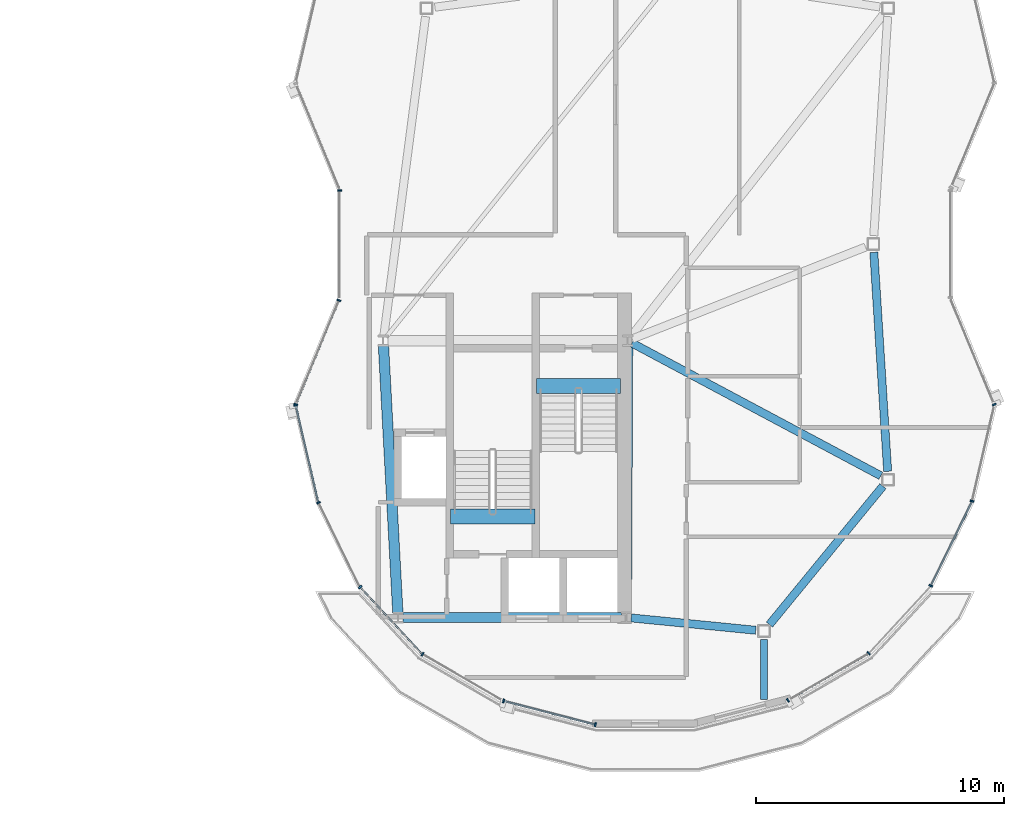
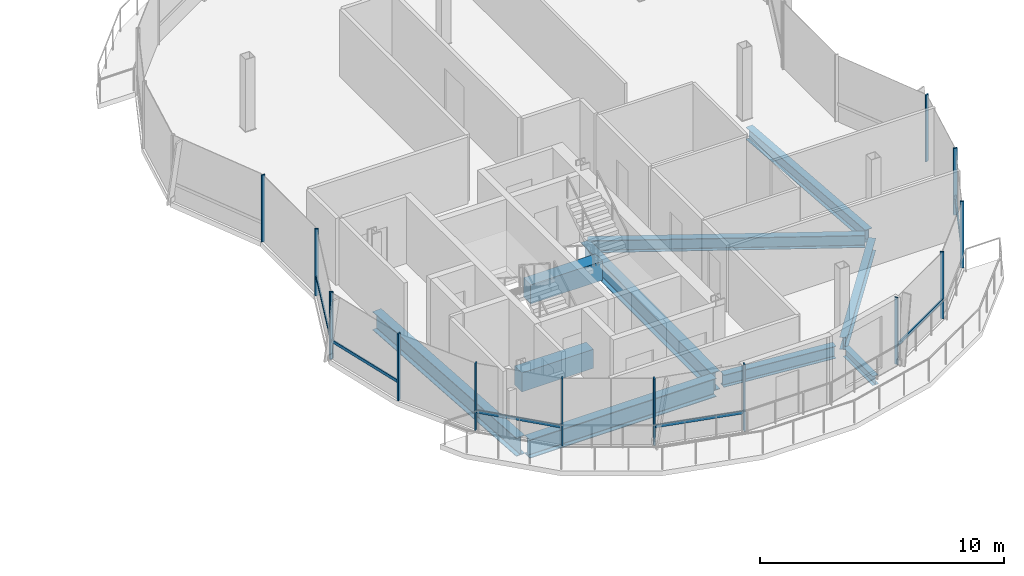
# One storey, part 7 of 20: 20 members, 10 beams, 3 elements without a shape of their own.
"""IFC4 building model written with IfcOpenShell, lengths in metres."""

from ifc_helpers import new_model, si_unit, direction, frame, origin, origin_2d, place, context, subcontext, project, spatial, rectangle, i_section, extrude, material, material_profile, profile_set, type_object, element, aggregate, save


model = new_model("IFC4")

# Units and contexts
model_context = context("Model", 3, precision=1e-05, world=origin(), true_north=direction((0.0, 1.0)))
body_context = subcontext(model_context, "Body", "Model", "MODEL_VIEW")
ifc_project = project(units=[si_unit("LENGTHUNIT", "METRE"), si_unit("AREAUNIT", "SQUARE_METRE"), si_unit("VOLUMEUNIT", "CUBIC_METRE"), si_unit("PLANEANGLEUNIT", "RADIAN"), si_unit("MASSUNIT", "GRAM", prefix="KILO"), si_unit("THERMODYNAMICTEMPERATUREUNIT", "KELVIN"), si_unit("POWERUNIT", "WATT")], contexts=[model_context])

# Site, building, storey
site_placement = place(None, origin())
site = spatial("IfcSite", under=ifc_project, at=site_placement, CompositionType="ELEMENT")
building_placement = place(site_placement, origin())
building = spatial("IfcBuilding", under=site, at=building_placement, Name="Cundina Bronze Exchange", CompositionType="ELEMENT")
storey_placement = place(building_placement, frame((0.0, 0.0, 282.800048828125)))
storey = spatial("IfcBuildingStorey", under=building, at=storey_placement, Name="L75", CompositionType="ELEMENT", Elevation=282.800048828125)

# Beams
ifc_material_1 = material(Name="Concrete C60/75", Category="concrete")
ifc_material_profile_1 = material_profile(ifc_material_1, rectangle(XDim=0.60009765625, YDim=0.949951171875, at=origin_2d()), Name="RC600X950", Category="concrete")
ifc_profile_set_1 = profile_set([ifc_material_profile_1], Name="Concrete C60/75")
beam_type_1 = type_object("IfcBeamType", Name="BM-COUP-RC950", PredefinedType="LINTEL", material=ifc_profile_set_1)
beam_1_placement = place(storey_placement, frame((27.6201171875, -5.719970703125, -0.47509765625), z_axis=(1.0, 0.0, 0.0), x_axis=(0.0, 1.0, 0.0)))
element("IfcBeam", 1, at=beam_1_placement, inside=storey, type_object=beam_type_1, Name="L75 Stair E1 Landing Header Beam", PredefinedType="LINTEL", context=body_context, shape_type="SweptSolid", body=[
    extrude(rectangle(XDim=0.60009765625, YDim=0.949951171875, at=origin_2d()), origin(), (0.0, 0.0, 1.0), 3.39990234375),
])
beam_2_placement = place(storey_placement, frame((24.159912109375, -10.97998046875, -0.47509765625), z_axis=(1.0, 0.0, 0.0), x_axis=(0.0, 1.0, 0.0)))
element("IfcBeam", 2, at=beam_2_placement, inside=storey, type_object=beam_type_1, Name="L75 Stair E2 Landing Header Beam", PredefinedType="LINTEL", context=body_context, shape_type="SweptSolid", body=[
    extrude(rectangle(XDim=0.60009765625, YDim=0.949951171875, at=origin_2d()), origin(), (0.0, 0.0, 1.0), 3.400146484375),
])
ifc_material_2 = material(Name="Steel ASTM A992 Grade 50", Category="steel")
ifc_material_profile_2 = material_profile(ifc_material_2, i_section(OverallWidth=0.280029296875, OverallDepth=0.462890625, WebThickness=0.0107421875, FlangeThickness=0.017333984375, FilletRadius=0.011962890625, at=origin_2d()), Name="W18X76", Category="steel")
ifc_profile_set_2 = profile_set([ifc_material_profile_2], Name="Steel ASTM A992 Grade 50")
beam_type_2 = type_object("IfcBeamType", Name="BM-FLR-W18A", PredefinedType="BEAM", material=ifc_profile_set_2)
beam_3_placement = place(storey_placement, frame((36.800048828125, -15.93798828125, -0.49658203125), z_axis=(0.0, -1.0, 0.0), x_axis=(1.0, 0.0, 0.0)))
element("IfcBeam", 3, at=beam_3_placement, inside=storey, type_object=beam_type_2, Name="L75 E Crown Terrace Edge Bracket 1", PredefinedType="BEAM", context=body_context, shape_type="SweptSolid", body=[
    extrude(i_section(OverallWidth=0.280029296875, OverallDepth=0.462890625, WebThickness=0.0107421875, FlangeThickness=0.017333984375, FilletRadius=0.011962890625, at=origin_2d()), origin(), (0.0, 0.0, 1.0), 2.412109375),
])
ifc_material_profile_3 = material_profile(ifc_material_2, i_section(OverallWidth=0.324951171875, OverallDepth=0.615966796875, WebThickness=0.013916015625, FlangeThickness=0.021484375, FilletRadius=0.01611328125, at=origin_2d()), Name="W24X117", Category="steel")
ifc_profile_set_3 = profile_set([ifc_material_profile_3], Name="Steel ASTM A992 Grade 50")
beam_type_3 = type_object("IfcBeamType", Name="BM-RING-W24", PredefinedType="USERDEFINED", material=ifc_profile_set_3)
beam_4_placement = place(storey_placement, frame((31.445068359375, -15.0693359375, -0.568115234375), z_axis=(0.995125942807, -0.098612159248, 0.0), x_axis=(0.098612159248, 0.995125942807, 0.0)))
element("IfcBeam", 4, at=beam_4_placement, inside=storey, type_object=beam_type_3, Name="L75 E Inner Structural Ring Girder 01", ObjectType="GIRDER", PredefinedType="USERDEFINED", context=body_context, shape_type="SweptSolid", body=[
    extrude(i_section(OverallWidth=0.324951171875, OverallDepth=0.615966796875, WebThickness=0.013916015625, FlangeThickness=0.021484375, FilletRadius=0.01611328125, at=origin_2d()), origin(), (0.0, 0.0, 1.0), 5.043212890625),
])
beam_5_placement = place(storey_placement, frame((37.014404296875, -15.338623046875, -0.568115234375), z_axis=(0.633916003783, 0.773401900791, 0.0), x_axis=(-0.773401900791, 0.633916003783, 0.0)))
element("IfcBeam", 5, at=beam_5_placement, inside=storey, type_object=beam_type_3, Name="L75 E Inner Structural Ring Girder 02", ObjectType="GIRDER", PredefinedType="USERDEFINED", context=body_context, shape_type="SweptSolid", body=[
    extrude(i_section(OverallWidth=0.324951171875, OverallDepth=0.615966796875, WebThickness=0.013916015625, FlangeThickness=0.021484375, FilletRadius=0.01611328125, at=origin_2d()), origin(), (0.0, 0.0, 1.0), 7.211181640625),
])
beam_6_placement = place(storey_placement, frame((41.77880859375, -9.16259765625, -0.568115234375), z_axis=(-0.063058935332, 0.998009804899, 0.0), x_axis=(-0.998009804899, -0.063058935332, 0.0)))
element("IfcBeam", 6, at=beam_6_placement, inside=storey, type_object=beam_type_3, Name="L75 E Inner Structural Ring Girder 03", ObjectType="GIRDER", PredefinedType="USERDEFINED", context=body_context, shape_type="SweptSolid", body=[
    extrude(i_section(OverallWidth=0.324951171875, OverallDepth=0.615966796875, WebThickness=0.013916015625, FlangeThickness=0.021484375, FilletRadius=0.01611328125, at=origin_2d()), origin(), (0.0, 0.0, 1.0), 8.8427734375),
])
beam_7_placement = place(storey_placement, frame((31.472900390625, -3.9921875, -0.568115234375), z_axis=(0.882355319573, -0.470583775773, 0.0), x_axis=(0.470583775773, 0.882355319573, 0.0)))
element("IfcBeam", 7, at=beam_7_placement, inside=storey, type_object=beam_type_3, Name="L75 E Core-to-Waist Tie Beam 2", ObjectType="GIRDER", PredefinedType="USERDEFINED", context=body_context, shape_type="SweptSolid", body=[
    extrude(i_section(OverallWidth=0.324951171875, OverallDepth=0.615966796875, WebThickness=0.013916015625, FlangeThickness=0.021484375, FilletRadius=0.01611328125, at=origin_2d()), origin(), (0.0, 0.0, 1.0), 11.365966796875),
])
ifc_material_profile_4 = material_profile(ifc_material_2, i_section(OverallWidth=0.41796875, OverallDepth=0.927001953125, WebThickness=0.019287109375, FlangeThickness=0.031982421875, FilletRadius=0.02392578125, at=origin_2d()), Name="W36X231", Category="steel")
ifc_profile_set_4 = profile_set([ifc_material_profile_4], Name="Steel ASTM A992 Grade 50")
beam_type_4 = type_object("IfcBeamType", Name="BM-WRN-W36B", PredefinedType="USERDEFINED", material=ifc_profile_set_4)
beam_8_placement = place(storey_placement, frame((21.46044921875, -4.095703125, -0.7236328125), z_axis=(0.053749317644, -0.998554460634, 0.0), x_axis=(0.998554460634, 0.053749317644, 0.0)))
element("IfcBeam", 8, at=beam_8_placement, inside=storey, type_object=beam_type_4, Name="L75 E Core Perimeter Tie Girder 2", ObjectType="GIRDER", PredefinedType="USERDEFINED", context=body_context, shape_type="SweptSolid", body=[
    extrude(i_section(OverallWidth=0.41796875, OverallDepth=0.927001953125, WebThickness=0.019287109375, FlangeThickness=0.031982421875, FilletRadius=0.02392578125, at=origin_2d()), origin(), (0.0, 0.0, 1.0), 10.774169921875),
])
beam_9_placement = place(storey_placement, frame((22.24609375, -15.050048828125, -0.7236328125), z_axis=(1.0, 0.0, 0.0), x_axis=(0.0, 1.0, 0.0)))
element("IfcBeam", 9, at=beam_9_placement, inside=storey, type_object=beam_type_4, Name="L75 E Core Perimeter Tie Girder 3", ObjectType="GIRDER", PredefinedType="USERDEFINED", context=body_context, shape_type="SweptSolid", body=[
    extrude(i_section(OverallWidth=0.41796875, OverallDepth=0.927001953125, WebThickness=0.019287109375, FlangeThickness=0.031982421875, FilletRadius=0.02392578125, at=origin_2d()), origin(), (0.0, 0.0, 1.0), 8.807861328125),
])
beam_10_placement = place(storey_placement, frame((31.2509765625, -14.85400390625, -0.7236328125), z_axis=(0.004470623654, 0.999990006712, 0.0), x_axis=(-0.999990006712, 0.004470623654, 0.0)))
element("IfcBeam", 10, at=beam_10_placement, inside=storey, type_object=beam_type_4, Name="L75 E Core Perimeter Tie Girder 4", ObjectType="GIRDER", PredefinedType="USERDEFINED", context=body_context, shape_type="SweptSolid", body=[
    extrude(i_section(OverallWidth=0.41796875, OverallDepth=0.927001953125, WebThickness=0.019287109375, FlangeThickness=0.031982421875, FilletRadius=0.02392578125, at=origin_2d()), origin(), (0.0, 0.0, 1.0), 10.758056640625),
])

# Curtain wall, members
ifc_material_3 = material(Name="Anodised Bronze Aluminium 6063-T6", Category="aluminium")
curtain_wall_type = type_object("IfcCurtainWallType", Name="CWS-CRN-TMD", PredefinedType="NOTDEFINED", material=ifc_material_3)
curtain_wall_1_placement = place(storey_placement, origin())
curtain_wall_1 = element("IfcCurtainWall", 11, at=curtain_wall_1_placement, inside=storey, type_object=curtain_wall_type, Name="L75 CW-07 Curtain Wall Run CWR-L75-E2", PredefinedType="NOTDEFINED")
ifc_material_profile_5 = material_profile(ifc_material_3, rectangle(XDim=0.06494140625, YDim=0.159912109375, at=origin_2d()), Name="AL65X160", Category="aluminium")
ifc_profile_set_5 = profile_set([ifc_material_profile_5], Name="Anodised Bronze Aluminium 6063-T6")
member_type_1 = type_object("IfcMemberType", Name="CWM-MUL-160", PredefinedType="MULLION", material=ifc_profile_set_5)
member_1_placement = place(storey_placement, frame((19.68994140625, 2.1494140625, 0.0), z_axis=(0.0, 0.0, 1.0), x_axis=(0.0, -1.0, 0.0)))
member_1 = element("IfcMember", 12, at=member_1_placement, type_object=member_type_1, Name="CW-07 Mullion 6", PredefinedType="MULLION", context=body_context, shape_type="SweptSolid", body=[
    extrude(rectangle(XDim=0.06494140625, YDim=0.159912109375, at=origin_2d()), origin(), (0.0, 0.0, 1.0), 3.33984375),
])
member_2_placement = place(storey_placement, frame((19.664794921875, -2.275390625, 0.0), z_axis=(0.0, 0.0, 1.0), x_axis=(-0.383167122078, -0.9236790333, 0.0)))
member_2 = element("IfcMember", 13, at=member_2_placement, type_object=member_type_1, Name="CW-07 Mullion 7", PredefinedType="MULLION", context=body_context, shape_type="SweptSolid", body=[
    extrude(rectangle(XDim=0.06494140625, YDim=0.159912109375, at=origin_2d()), origin(), (0.0, 0.0, 1.0), 3.33984375),
])
member_3_placement = place(storey_placement, frame((17.9248046875, -6.46923828125, 0.0), z_axis=(0.0, 0.0, 1.0), x_axis=(-0.383167122078, -0.9236790333, 0.0)))
member_3 = element("IfcMember", 14, at=member_3_placement, type_object=member_type_1, Name="CW-07 End Mullion", PredefinedType="MULLION", context=body_context, shape_type="SweptSolid", body=[
    extrude(rectangle(XDim=0.06494140625, YDim=0.159912109375, at=origin_2d()), origin(), (0.0, 0.0, 1.0), 3.33984375),
])

curtain_wall_2_placement = place(storey_placement, origin())
curtain_wall_2 = element("IfcCurtainWall", 15, at=curtain_wall_2_placement, inside=storey, type_object=curtain_wall_type, Name="L75 CW-07 Curtain Wall Run CWR-L75-E3", PredefinedType="NOTDEFINED")
member_4_placement = place(storey_placement, frame((17.922607421875, -6.49462890625, 0.0), z_axis=(0.0, 0.0, 1.0), x_axis=(0.226311311886, -0.974055024171, 0.0)))
member_4 = element("IfcMember", 16, at=member_4_placement, type_object=member_type_1, Name="CW-07 Mullion 1", PredefinedType="MULLION", context=body_context, shape_type="SweptSolid", body=[
    extrude(rectangle(XDim=0.06494140625, YDim=0.159912109375, at=origin_2d()), origin(), (0.0, 0.0, 1.0), 3.33984375),
])
member_5_placement = place(storey_placement, frame((18.84375, -10.4248046875, 0.0), z_axis=(0.0, 0.0, 1.0), x_axis=(0.439312121178, -0.898334492373, 0.0)))
member_5 = element("IfcMember", 17, at=member_5_placement, type_object=member_type_1, Name="CW-07 Mullion 2", PredefinedType="MULLION", context=body_context, shape_type="SweptSolid", body=[
    extrude(rectangle(XDim=0.06494140625, YDim=0.159912109375, at=origin_2d()), origin(), (0.0, 0.0, 1.0), 3.33984375),
])
member_6_placement = place(storey_placement, frame((20.516357421875, -13.824462890625, 0.0), z_axis=(0.0, 0.0, 1.0), x_axis=(0.679057031084, -0.734085518544, 0.0)))
member_6 = element("IfcMember", 18, at=member_6_placement, type_object=member_type_1, Name="CW-07 Mullion 3", PredefinedType="MULLION", context=body_context, shape_type="SweptSolid", body=[
    extrude(rectangle(XDim=0.06494140625, YDim=0.159912109375, at=origin_2d()), origin(), (0.0, 0.0, 1.0), 3.33984375),
])
member_7_placement = place(storey_placement, frame((23.033447265625, -16.5322265625, 0.0), z_axis=(0.0, 0.0, 1.0), x_axis=(0.86532642813, -0.501208711795, 0.0)))
member_7 = element("IfcMember", 19, at=member_7_placement, type_object=member_type_1, Name="CW-07 Mullion 4", PredefinedType="MULLION", context=body_context, shape_type="SweptSolid", body=[
    extrude(rectangle(XDim=0.06494140625, YDim=0.159912109375, at=origin_2d()), origin(), (0.0, 0.0, 1.0), 3.33984375),
])
member_8_placement = place(storey_placement, frame((26.300048828125, -18.41455078125, 0.0), z_axis=(0.0, 0.0, 1.0), x_axis=(0.96832220265, -0.249704048534, 0.0)))
member_8 = element("IfcMember", 20, at=member_8_placement, type_object=member_type_1, Name="CW-07 Mullion 5", PredefinedType="MULLION", context=body_context, shape_type="SweptSolid", body=[
    extrude(rectangle(XDim=0.06494140625, YDim=0.159912109375, at=origin_2d()), origin(), (0.0, 0.0, 1.0), 3.33984375),
])
member_9_placement = place(storey_placement, frame((30.0, -19.368896484375, 0.0), z_axis=(0.0, 0.0, 1.0), x_axis=(0.96832220265, -0.249704048534, 0.0)))
member_9 = element("IfcMember", 21, at=member_9_placement, type_object=member_type_1, Name="CW-07 End Mullion", PredefinedType="MULLION", context=body_context, shape_type="SweptSolid", body=[
    extrude(rectangle(XDim=0.06494140625, YDim=0.159912109375, at=origin_2d()), origin(), (0.0, 0.0, 1.0), 3.33984375),
])

curtain_wall_3_placement = place(storey_placement, origin())
curtain_wall_3 = element("IfcCurtainWall", 22, at=curtain_wall_3_placement, inside=storey, type_object=curtain_wall_type, Name="L75 CW-07 Curtain Wall Run CWR-L75-E4", PredefinedType="NOTDEFINED")
member_10_placement = place(storey_placement, frame((37.75830078125, -18.390625, 0.0), z_axis=(0.0, 0.0, 1.0), x_axis=(0.86532642813, 0.501208711795, 0.0)))
member_10 = element("IfcMember", 23, at=member_10_placement, type_object=member_type_1, Name="CW-07 Mullion 1", PredefinedType="MULLION", context=body_context, shape_type="SweptSolid", body=[
    extrude(rectangle(XDim=0.06494140625, YDim=0.159912109375, at=origin_2d()), origin(), (0.0, 0.0, 1.0), 3.33984375),
])
member_11_placement = place(storey_placement, frame((41.013427734375, -16.49462890625, 0.0), z_axis=(0.0, 0.0, 1.0), x_axis=(0.679057031084, 0.734085518544, 0.0)))
member_11 = element("IfcMember", 24, at=member_11_placement, type_object=member_type_1, Name="CW-07 Mullion 2", PredefinedType="MULLION", context=body_context, shape_type="SweptSolid", body=[
    extrude(rectangle(XDim=0.06494140625, YDim=0.159912109375, at=origin_2d()), origin(), (0.0, 0.0, 1.0), 3.33984375),
])
member_12_placement = place(storey_placement, frame((43.518310546875, -13.774169921875, 0.0), z_axis=(0.0, 0.0, 1.0), x_axis=(0.439312121178, 0.898334492373, 0.0)))
member_12 = element("IfcMember", 25, at=member_12_placement, type_object=member_type_1, Name="CW-07 Mullion 3", PredefinedType="MULLION", context=body_context, shape_type="SweptSolid", body=[
    extrude(rectangle(XDim=0.06494140625, YDim=0.159912109375, at=origin_2d()), origin(), (0.0, 0.0, 1.0), 3.33984375),
])
member_13_placement = place(storey_placement, frame((45.178955078125, -10.361083984375, 0.0), z_axis=(0.0, 0.0, 1.0), x_axis=(0.226311311886, 0.974055024171, 0.0)))
member_13 = element("IfcMember", 26, at=member_13_placement, type_object=member_type_1, Name="CW-07 Mullion 4", PredefinedType="MULLION", context=body_context, shape_type="SweptSolid", body=[
    extrude(rectangle(XDim=0.06494140625, YDim=0.159912109375, at=origin_2d()), origin(), (0.0, 0.0, 1.0), 3.33984375),
])
member_14_placement = place(storey_placement, frame((46.0751953125, -6.46923828125, 0.0), z_axis=(0.0, 0.0, 1.0), x_axis=(-0.383167122078, 0.9236790333, 0.0)))
member_14 = element("IfcMember", 27, at=member_14_placement, type_object=member_type_1, Name="CW-07 Mullion 5", PredefinedType="MULLION", context=body_context, shape_type="SweptSolid", body=[
    extrude(rectangle(XDim=0.06494140625, YDim=0.159912109375, at=origin_2d()), origin(), (0.0, 0.0, 1.0), 3.33984375),
])

# Member
ifc_material_profile_6 = material_profile(ifc_material_3, rectangle(XDim=0.06494140625, YDim=0.14990234375, at=origin_2d()), Name="AL65X150", Category="aluminium")
ifc_profile_set_6 = profile_set([ifc_material_profile_6], Name="Anodised Bronze Aluminium 6063-T6")
member_type_2 = type_object("IfcMemberType", Name="CWM-TRN-150", PredefinedType="USERDEFINED", material=ifc_profile_set_6)
member_15_placement = place(storey_placement, frame((19.651123046875, -2.308349609375, 0.919921875), z_axis=(-0.383218525152, -0.923657708234, 0.0), x_axis=(0.923657708234, -0.383218525152, 0.0)))
member_15 = element("IfcMember", 28, at=member_15_placement, type_object=member_type_2, Name="CW-07 Spandrel Transom 7", ObjectType="TRANSOM", PredefinedType="USERDEFINED", context=body_context, shape_type="SweptSolid", body=[
    extrude(rectangle(XDim=0.06494140625, YDim=0.14990234375, at=origin_2d()), origin(), (0.0, 0.0, 1.0), 4.468994140625),
])

aggregate(curtain_wall_1, [member_1, member_2, member_3, member_15])

member_16_placement = place(storey_placement, frame((17.930908203125, -6.529541015625, 0.919921875), z_axis=(0.226278732099, -0.974062593163, 0.0), x_axis=(0.974062593163, 0.226278732099, 0.0)))
member_16 = element("IfcMember", 29, at=member_16_placement, type_object=member_type_2, Name="CW-07 Spandrel Transom 1", ObjectType="TRANSOM", PredefinedType="USERDEFINED", context=body_context, shape_type="SweptSolid", body=[
    extrude(rectangle(XDim=0.06494140625, YDim=0.14990234375, at=origin_2d()), origin(), (0.0, 0.0, 1.0), 3.969482421875),
])

member_17_placement = place(storey_placement, frame((20.54052734375, -13.8505859375, 0.919921875), z_axis=(0.679054640181, -0.734087730213, 0.0), x_axis=(0.734087730213, 0.679054640181, 0.0)))
member_17 = element("IfcMember", 30, at=member_17_placement, type_object=member_type_2, Name="CW-07 Spandrel Transom 3", ObjectType="TRANSOM", PredefinedType="USERDEFINED", context=body_context, shape_type="SweptSolid", body=[
    extrude(rectangle(XDim=0.06494140625, YDim=0.14990234375, at=origin_2d()), origin(), (0.0, 0.0, 1.0), 3.6376953125),
])

member_18_placement = place(storey_placement, frame((26.334716796875, -18.423583984375, 0.919921875), z_axis=(0.968319491481, -0.249714561887, 0.0), x_axis=(0.249714561887, 0.968319491481, 0.0)))
member_18 = element("IfcMember", 31, at=member_18_placement, type_object=member_type_2, Name="CW-07 Spandrel Transom 5", ObjectType="TRANSOM", PredefinedType="USERDEFINED", context=body_context, shape_type="SweptSolid", body=[
    extrude(rectangle(XDim=0.06494140625, YDim=0.14990234375, at=origin_2d()), origin(), (0.0, 0.0, 1.0), 3.74951171875),
])

aggregate(curtain_wall_2, [member_4, member_16, member_5, member_6, member_17, member_7, member_8, member_9, member_18])

member_19_placement = place(storey_placement, frame((37.789306640625, -18.372802734375, 0.919921875), z_axis=(0.865294005039, 0.501264685415, 0.0), x_axis=(-0.501264685415, 0.865294005039, 0.0)))
member_19 = element("IfcMember", 32, at=member_19_placement, type_object=member_type_2, Name="CW-07 Spandrel Transom 1", ObjectType="TRANSOM", PredefinedType="USERDEFINED", context=body_context, shape_type="SweptSolid", body=[
    extrude(rectangle(XDim=0.06494140625, YDim=0.14990234375, at=origin_2d()), origin(), (0.0, 0.0, 1.0), 3.70751953125),
])

member_20_placement = place(storey_placement, frame((43.533935546875, -13.7421875, 0.919921875), z_axis=(0.439312304643, 0.898334402653, 0.0), x_axis=(-0.898334402653, 0.439312304643, 0.0)))
member_20 = element("IfcMember", 33, at=member_20_placement, type_object=member_type_2, Name="CW-07 Spandrel Transom 3", ObjectType="TRANSOM", PredefinedType="USERDEFINED", context=body_context, shape_type="SweptSolid", body=[
    extrude(rectangle(XDim=0.06494140625, YDim=0.14990234375, at=origin_2d()), origin(), (0.0, 0.0, 1.0), 3.728515625),
])

aggregate(curtain_wall_3, [member_10, member_19, member_11, member_12, member_20, member_13, member_14])

save(model, "model.ifc")
